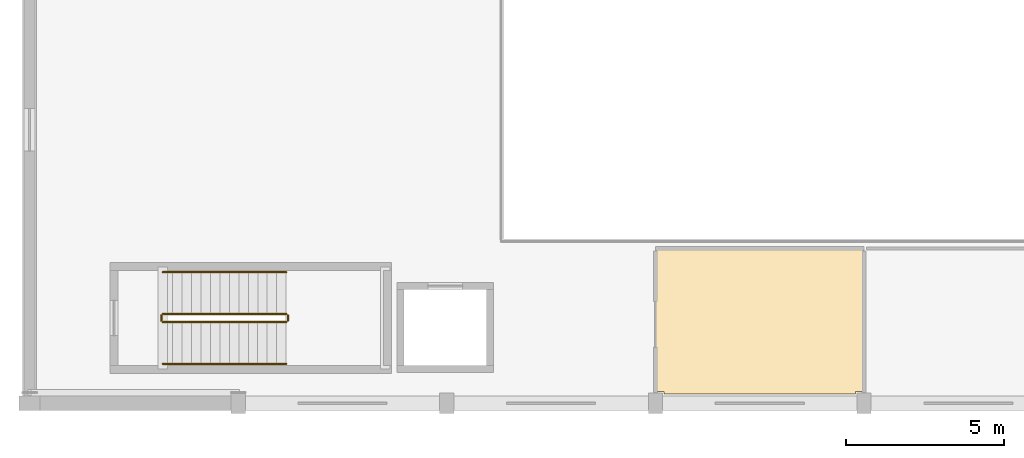
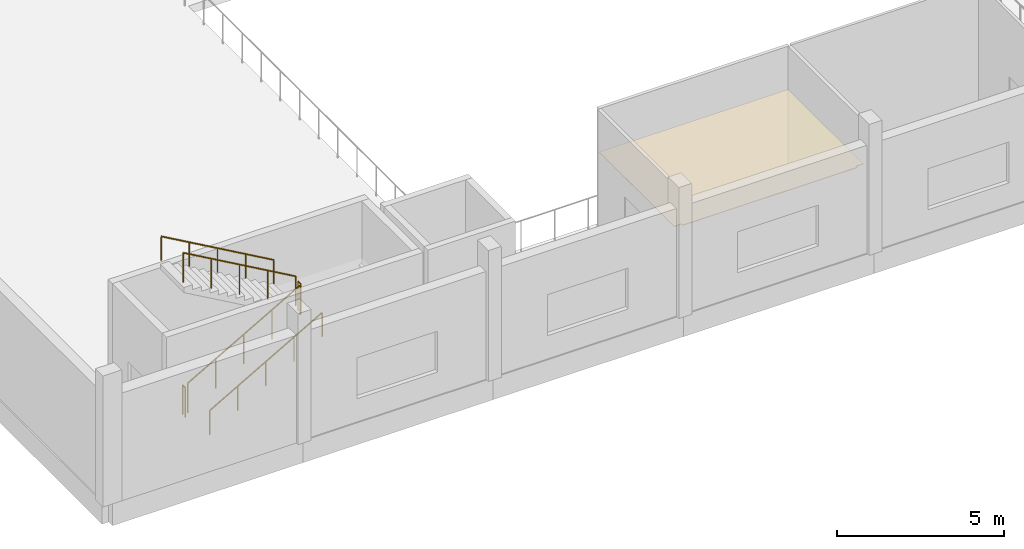
# One storey, part 102 of 125: 6 railings, 1 covering.
"""IFC4 building model written with IfcOpenShell, lengths in metres."""

from ifc_helpers import new_model, si_unit, direction, frame, origin, origin_2d, place, context, subcontext, project, spatial, polyline, circle, outline, extrude, material, layer, layer_set, type_object, element, save


model = new_model("IFC4")

# Units and contexts
model_context = context("Model", 3, precision=1e-05, world=origin(), true_north=direction((0.0, 1.0)))
body_context = subcontext(model_context, "Body", "Model", "MODEL_VIEW")
ifc_project = project(units=[si_unit("LENGTHUNIT", "METRE"), si_unit("AREAUNIT", "SQUARE_METRE"), si_unit("VOLUMEUNIT", "CUBIC_METRE"), si_unit("PLANEANGLEUNIT", "RADIAN"), si_unit("MASSUNIT", "GRAM", prefix="KILO")], contexts=[model_context])

# Site, building, storey
site_placement = place(None, origin())
site = spatial("IfcSite", under=ifc_project, at=site_placement, CompositionType="ELEMENT")
building_placement = place(site_placement, origin())
building = spatial("IfcBuilding", under=site, at=building_placement, Name="Dornvale Research Institute", CompositionType="ELEMENT")
storey_placement = place(building_placement, frame((0.0, 0.0, 5.39990234375)))
storey = spatial("IfcBuildingStorey", under=building, at=storey_placement, Name="L01", CompositionType="ELEMENT", Elevation=5.39990234375)

# Covering
ifc_material_1 = material(Name="Mineral-Fibre Acoustic Lay-In Ceiling Tile System")
ifc_layer_1 = layer(ifc_material_1, 0.02001953125)
ifc_layer_set_1 = layer_set([ifc_layer_1], Name="Mineral-Fibre Acoustic Lay-In Ceiling Tile System")
covering_type = type_object("IfcCoveringType", Name="Covering_Acoustic_Ceiling", PredefinedType="CEILING", material=ifc_layer_set_1)
covering_placement = place(storey_placement, frame((0.0, 0.0, 2.85009765625)))
element("IfcCovering", 1, at=covering_placement, inside=storey, type_object=covering_type, Name="L01 Audiovisual Projection and Simultaneous Interpretation Suite suspended ceiling", PredefinedType="CEILING", context=body_context, shape_type="SweptSolid", body=[
    extrude(outline(polyline([(26.3798828125, 4.8798828125), (26.3798828125, 0.375), (26.125, 0.375), (26.125, 0.300048828125), (20.074951171875, 0.300048828125), (20.074951171875, 0.375), (19.820068359375, 0.375), (19.820068359375, 4.8798828125), (26.3798828125, 4.8798828125)])), origin(), (0.0, 0.0, 1.0), 0.02001953125),
])

# Railings
ifc_material_2 = material(Name="Galvanized Painted Tubular Steel Stair Rail", Category="steel")
ifc_layer_2 = layer(ifc_material_2, 0.050048828125)
ifc_layer_set_2 = layer_set([ifc_layer_2], Name="Galvanized Painted Tubular Steel Stair Rail")
railing_type_1 = type_object("IfcRailingType", Name="Railing_Stair_Guard_1100", PredefinedType="GUARDRAIL", material=ifc_layer_set_2)
railing_1_placement = place(storey_placement, frame((4.219970703125, 2.570068359375, 0.171630859375)))
element("IfcRailing", 2, at=railing_1_placement, inside=storey, type_object=railing_type_1, Name="L01 ST-9 stair guard 1", PredefinedType="GUARDRAIL", context=body_context, shape_type="SweptSolid", body=[
    extrude(circle(Radius=0.02392578125, at=origin_2d()), frame((0.0, 0.0, 1.076171875), z_axis=(0.868256520506, 0.0, 0.496115525457), x_axis=(0.0, 1.0, 0.0)), (0.0, 0.0, 1.0), 4.491943359375),
    extrude(circle(Radius=0.02099609375, at=origin_2d()), origin(), (0.0, 0.0, 1.0), 1.052001953125),
    extrude(circle(Radius=0.02099609375, at=origin_2d()), frame((0.97509765625, 0.0, 0.55712890625)), (0.0, 0.0, 1.0), 1.052001953125),
    extrude(circle(Radius=0.02099609375, at=origin_2d()), frame((1.9501953125, 0.0, 1.1142578125)), (0.0, 0.0, 1.0), 1.052001953125),
    extrude(circle(Radius=0.02099609375, at=origin_2d()), frame((2.925048828125, 0.0, 1.67138671875)), (0.0, 0.0, 1.0), 1.052001953125),
    extrude(circle(Radius=0.02099609375, at=origin_2d()), frame((3.900146484375, 0.0, 2.228515625)), (0.0, 0.0, 1.0), 1.052001953125),
])
railing_2_placement = place(storey_placement, frame((8.169921875, 2.6201171875, 2.400146484375)))
element("IfcRailing", 3, at=railing_2_placement, inside=storey, type_object=railing_type_1, Name="L01 ST-9 stair guard 2", PredefinedType="GUARDRAIL", context=body_context, shape_type="SweptSolid", body=[
    extrude(circle(Radius=0.02392578125, at=origin_2d()), frame((0.0, 0.0, 1.076171875), z_axis=(0.0, 1.0, 0.0), x_axis=(-1.0, 0.0, 0.0)), (0.0, 0.0, 1.0), 0.159912109375),
    extrude(circle(Radius=0.02099609375, at=origin_2d()), origin(), (0.0, 0.0, 1.0), 1.052001953125),
    extrude(circle(Radius=0.02099609375, at=origin_2d()), frame((0.0, 0.159912109375, 0.0)), (0.0, 0.0, 1.0), 1.052001953125),
])
railing_3_placement = place(storey_placement, frame((8.1201171875, 2.830078125, 2.571533203125)))
element("IfcRailing", 4, at=railing_3_placement, inside=storey, type_object=railing_type_1, Name="L01 ST-9 stair guard 3", PredefinedType="GUARDRAIL", context=body_context, shape_type="SweptSolid", body=[
    extrude(circle(Radius=0.02392578125, at=origin_2d()), frame((0.0, 0.0, 1.076171875), z_axis=(-0.868256520506, 0.0, 0.496115525457), x_axis=(0.0, -1.0, 0.0)), (0.0, 0.0, 1.0), 4.491943359375),
    extrude(circle(Radius=0.02099609375, at=origin_2d()), origin(), (0.0, 0.0, 1.0), 1.052001953125),
    extrude(circle(Radius=0.02099609375, at=origin_2d()), frame((-0.97509765625, 0.0, 0.55712890625)), (0.0, 0.0, 1.0), 1.052001953125),
    extrude(circle(Radius=0.02099609375, at=origin_2d()), frame((-1.9501953125, 0.0, 1.1142578125)), (0.0, 0.0, 1.0), 1.052001953125),
    extrude(circle(Radius=0.02099609375, at=origin_2d()), frame((-2.925048828125, 0.0, 1.67138671875)), (0.0, 0.0, 1.0), 1.052001953125),
    extrude(circle(Radius=0.02099609375, at=origin_2d()), frame((-3.900146484375, 0.0, 2.228515625)), (0.0, 0.0, 1.0), 1.052001953125),
])
railing_4_placement = place(storey_placement, frame((4.169921875, 2.6201171875, 0.0)))
element("IfcRailing", 5, at=railing_4_placement, inside=storey, type_object=railing_type_1, Name="L01 ST-9 stair guard 4", PredefinedType="GUARDRAIL", context=body_context, shape_type="SweptSolid", body=[
    extrude(circle(Radius=0.02392578125, at=origin_2d()), frame((0.0, 0.0, 1.076171875), z_axis=(0.0, 1.0, 0.0), x_axis=(-1.0, 0.0, 0.0)), (0.0, 0.0, 1.0), 0.159912109375),
    extrude(circle(Radius=0.02099609375, at=origin_2d()), origin(), (0.0, 0.0, 1.0), 1.052001953125),
    extrude(circle(Radius=0.02099609375, at=origin_2d()), frame((0.0, 0.159912109375, 0.0)), (0.0, 0.0, 1.0), 1.052001953125),
])
ifc_material_3 = material(Name="Galvanized Painted Tubular Steel Stair Rail", Category="steel")
ifc_layer_3 = layer(ifc_material_3, 0.044921875)
ifc_layer_set_3 = layer_set([ifc_layer_3], Name="Galvanized Painted Tubular Steel Stair Rail")
railing_type_2 = type_object("IfcRailingType", Name="Railing_Stair_Handrail_900", PredefinedType="HANDRAIL", material=ifc_layer_set_3)
railing_5_placement = place(storey_placement, frame((4.219970703125, 1.25, 0.171630859375)))
element("IfcRailing", 6, at=railing_5_placement, inside=storey, type_object=railing_type_2, Name="L01 ST-9 stair handrail 1", PredefinedType="HANDRAIL", context=body_context, shape_type="SweptSolid", body=[
    extrude(circle(Radius=0.02392578125, at=origin_2d()), frame((0.0, 0.0, 0.8759765625), z_axis=(0.868256520506, 0.0, 0.496115525457), x_axis=(0.0, 1.0, 0.0)), (0.0, 0.0, 1.0), 4.491943359375),
    extrude(circle(Radius=0.02099609375, at=origin_2d()), origin(), (0.0, 0.0, 1.0), 0.851806640625),
    extrude(circle(Radius=0.02099609375, at=origin_2d()), frame((0.97509765625, 0.0, 0.55712890625)), (0.0, 0.0, 1.0), 0.851806640625),
    extrude(circle(Radius=0.02099609375, at=origin_2d()), frame((1.9501953125, 0.0, 1.1142578125)), (0.0, 0.0, 1.0), 0.851806640625),
    extrude(circle(Radius=0.02099609375, at=origin_2d()), frame((2.925048828125, 0.0, 1.67138671875)), (0.0, 0.0, 1.0), 0.851806640625),
    extrude(circle(Radius=0.02099609375, at=origin_2d()), frame((3.900146484375, 0.0, 2.228515625)), (0.0, 0.0, 1.0), 0.851806640625),
])
railing_6_placement = place(storey_placement, frame((8.1201171875, 4.14990234375, 2.571533203125)))
element("IfcRailing", 7, at=railing_6_placement, inside=storey, type_object=railing_type_2, Name="L01 ST-9 stair handrail 2", PredefinedType="HANDRAIL", context=body_context, shape_type="SweptSolid", body=[
    extrude(circle(Radius=0.02392578125, at=origin_2d()), frame((0.0, 0.0, 0.8759765625), z_axis=(-0.868256520506, 0.0, 0.496115525457), x_axis=(0.0, -1.0, 0.0)), (0.0, 0.0, 1.0), 4.491943359375),
    extrude(circle(Radius=0.02099609375, at=origin_2d()), origin(), (0.0, 0.0, 1.0), 0.851806640625),
    extrude(circle(Radius=0.02099609375, at=origin_2d()), frame((-0.97509765625, 0.0, 0.55712890625)), (0.0, 0.0, 1.0), 0.851806640625),
    extrude(circle(Radius=0.02099609375, at=origin_2d()), frame((-1.9501953125, 0.0, 1.1142578125)), (0.0, 0.0, 1.0), 0.851806640625),
    extrude(circle(Radius=0.02099609375, at=origin_2d()), frame((-2.925048828125, 0.0, 1.67138671875)), (0.0, 0.0, 1.0), 0.851806640625),
    extrude(circle(Radius=0.02099609375, at=origin_2d()), frame((-3.900146484375, 0.0, 2.228515625)), (0.0, 0.0, 1.0), 0.851806640625),
])

save(model, "model.ifc")
